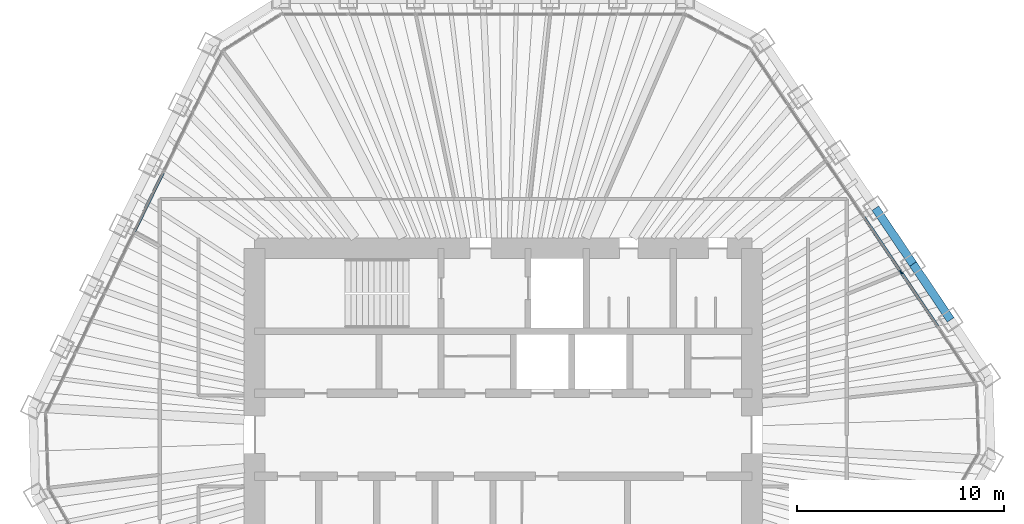
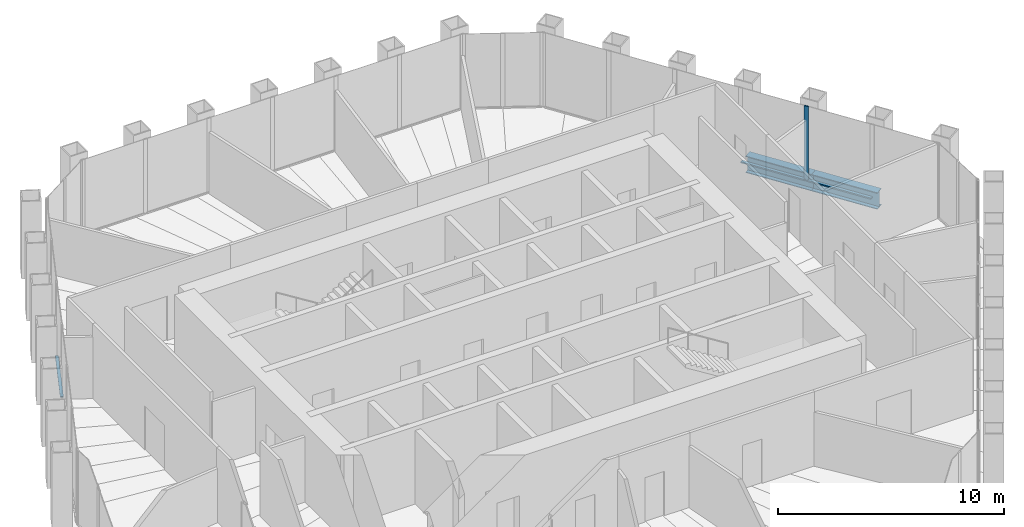
# One storey, part 6 of 14: 4 members, 2 beams, 2 elements without a shape of their own.
"""IFC4 building model written with IfcOpenShell, lengths in metres."""

from ifc_helpers import new_model, si_unit, direction, frame, origin, origin_2d, place, context, subcontext, project, spatial, rectangle, i_section, extrude, material, material_profile, profile_set, type_object, element, aggregate, save


model = new_model("IFC4")

# Units and contexts
model_context = context("Model", 3, precision=1e-05, world=origin(), true_north=direction((0.0, 1.0)))
body_context = subcontext(model_context, "Body", "Model", "MODEL_VIEW")
ifc_project = project(units=[si_unit("LENGTHUNIT", "METRE"), si_unit("AREAUNIT", "SQUARE_METRE"), si_unit("VOLUMEUNIT", "CUBIC_METRE"), si_unit("PLANEANGLEUNIT", "RADIAN"), si_unit("MASSUNIT", "GRAM", prefix="KILO")], contexts=[model_context])

# Site, building, storey
site_placement = place(None, origin())
site = spatial("IfcSite", under=ifc_project, at=site_placement, CompositionType="ELEMENT")
building_placement = place(site_placement, origin())
building = spatial("IfcBuilding", under=site, at=building_placement, Name="Qingtian Harvest Tower", CompositionType="ELEMENT")
storey_placement = place(building_placement, frame((0.0, 0.0, 278.800048828125)))
storey = spatial("IfcBuildingStorey", under=building, at=storey_placement, Name="L61", CompositionType="ELEMENT", Elevation=278.800048828125)

# Curtain wall, member
ifc_material_1 = material(Name="Bronze-anodised aluminium curtain wall", Category="aluminium")
curtain_wall_type = type_object("IfcCurtainWallType", Name="Curtain wall CW5 upper office", PredefinedType="USERDEFINED", material=ifc_material_1)
curtain_wall_1_placement = place(storey_placement, origin())
curtain_wall_1 = element("IfcCurtainWall", 1, at=curtain_wall_1_placement, inside=storey, type_object=curtain_wall_type, Name="Curtain wall CW5 L61 NE0-5", ObjectType="RECESSED CURTAIN WALL", PredefinedType="USERDEFINED")
ifc_material_2 = material(Name="Bronze-anodised aluminium mullion", Category="aluminium")
ifc_material_profile_1 = material_profile(ifc_material_2, rectangle(XDim=0.06494140625, YDim=0.199951171875, at=origin_2d()), Name="AL 65x200")
ifc_profile_set_1 = profile_set([ifc_material_profile_1], Name="Bronze-anodised aluminium mullion")
member_type_1 = type_object("IfcMemberType", Name="Mullion CWM 65x200", PredefinedType="MULLION", material=ifc_profile_set_1)
member_1_placement = place(storey_placement, frame((19.192626953125, 7.847900390625, 0.0), z_axis=(0.0, 0.0, 1.0), x_axis=(0.829037572555, 0.559192903471, 0.0)))
member_1 = element("IfcMember", 2, at=member_1_placement, type_object=member_type_1, Name="CW5 mullion 5", PredefinedType="MULLION", context=body_context, shape_type="SweptSolid", body=[
    extrude(rectangle(XDim=0.06494140625, YDim=0.199951171875, at=origin_2d()), origin(), (0.0, 0.0, 1.0), 4.030029296875),
])

# Beams
ifc_material_3 = material(Name="Steel SN490B", Category="steel")
ifc_material_profile_2 = material_profile(ifc_material_3, i_section(OverallWidth=0.39990234375, OverallDepth=0.89990234375, WebThickness=0.01904296875, FlangeThickness=0.035888671875, at=origin_2d()), Name="H900x400x19x36")
ifc_profile_set_2 = profile_set([ifc_material_profile_2], Name="Steel SN490B")
beam_type = type_object("IfcBeamType", Name="Spandrel beam SB4 H900x400x19x36", PredefinedType="SPANDREL", material=ifc_profile_set_2)
for number, where, z_axis, x_axis, name in (
    (3, (17.956787109375, 10.93212890625, -0.449951171875), (0.55915007887, -0.829066456504, 0.0), (0.829066456504, 0.55915007887, 0.0), "Spandrel SB4 NE3"),
    (4, (19.77294921875, 8.2392578125, -0.449951171875), (0.5592365864, -0.829008106372, 0.0), (0.829008106372, 0.5592365864, 0.0), "Spandrel SB4 NE4"),
):
    element("IfcBeam", number, at=place(storey_placement, frame(where, z_axis=z_axis, x_axis=x_axis)), inside=storey, type_object=beam_type, Name=name, PredefinedType="SPANDREL", context=body_context, shape_type="SweptSolid", body=[
        extrude(i_section(OverallWidth=0.39990234375, OverallDepth=0.89990234375, WebThickness=0.01904296875, FlangeThickness=0.035888671875, at=origin_2d()), origin(), (0.0, 0.0, 1.0), 3.248046875),
    ])

# Member
ifc_material_4 = material(Name="Bronze-anodised aluminium transom", Category="aluminium")
ifc_material_profile_3 = material_profile(ifc_material_4, rectangle(XDim=0.14990234375, YDim=0.06494140625, at=origin_2d()), Name="AL 65x150")
ifc_profile_set_3 = profile_set([ifc_material_profile_3], Name="Bronze-anodised aluminium transom")
member_type_2 = type_object("IfcMemberType", Name="Transom CWT 65x150", PredefinedType="USERDEFINED", material=ifc_profile_set_3)
member_2_placement = place(storey_placement, frame((17.39453125, 10.513671875, 0.032470703125), z_axis=(0.55920542009, -0.829029129852, 0.0), x_axis=(0.829029129852, 0.55920542009, 0.0)))
member_2 = element("IfcMember", 5, at=member_2_placement, type_object=member_type_2, Name="CW5 transom 4.1", ObjectType="TRANSOM", PredefinedType="USERDEFINED", context=body_context, shape_type="SweptSolid", body=[
    extrude(rectangle(XDim=0.14990234375, YDim=0.06494140625, at=origin_2d()), origin(), (0.0, 0.0, 1.0), 3.18310546875),
])

member_3_placement = place(storey_placement, frame((19.2109375, 7.821044921875, 0.032470703125), z_axis=(0.559152702955, -0.829064686727, 0.0), x_axis=(0.829064686727, 0.559152702955, 0.0)))
member_3 = element("IfcMember", 6, at=member_3_placement, type_object=member_type_2, Name="CW5 transom 5.1", ObjectType="TRANSOM", PredefinedType="USERDEFINED", context=body_context, shape_type="SweptSolid", body=[
    extrude(rectangle(XDim=0.14990234375, YDim=0.06494140625, at=origin_2d()), origin(), (0.0, 0.0, 1.0), 3.18310546875),
])

aggregate(curtain_wall_1, [member_1, member_2, member_3])

# Curtain wall, member
curtain_wall_2_placement = place(storey_placement, origin())
curtain_wall_2 = element("IfcCurtainWall", 7, at=curtain_wall_2_placement, inside=storey, type_object=curtain_wall_type, Name="Curtain wall CW5 L61 NW0-5", ObjectType="RECESSED CURTAIN WALL", PredefinedType="USERDEFINED")
member_4_placement = place(storey_placement, frame((-17.802490234375, 9.807373046875, 0.032470703125), z_axis=(0.438355626738, 0.898801615768, 0.0), x_axis=(-0.898801615768, 0.438355626738, 0.0)))
member_4 = element("IfcMember", 8, at=member_4_placement, type_object=member_type_2, Name="CW5 transom 4.1", ObjectType="TRANSOM", PredefinedType="USERDEFINED", context=body_context, shape_type="SweptSolid", body=[
    extrude(rectangle(XDim=0.14990234375, YDim=0.06494140625, at=origin_2d()), origin(), (0.0, 0.0, 1.0), 3.182861328125),
])
aggregate(curtain_wall_2, [member_4])

save(model, "model.ifc")
